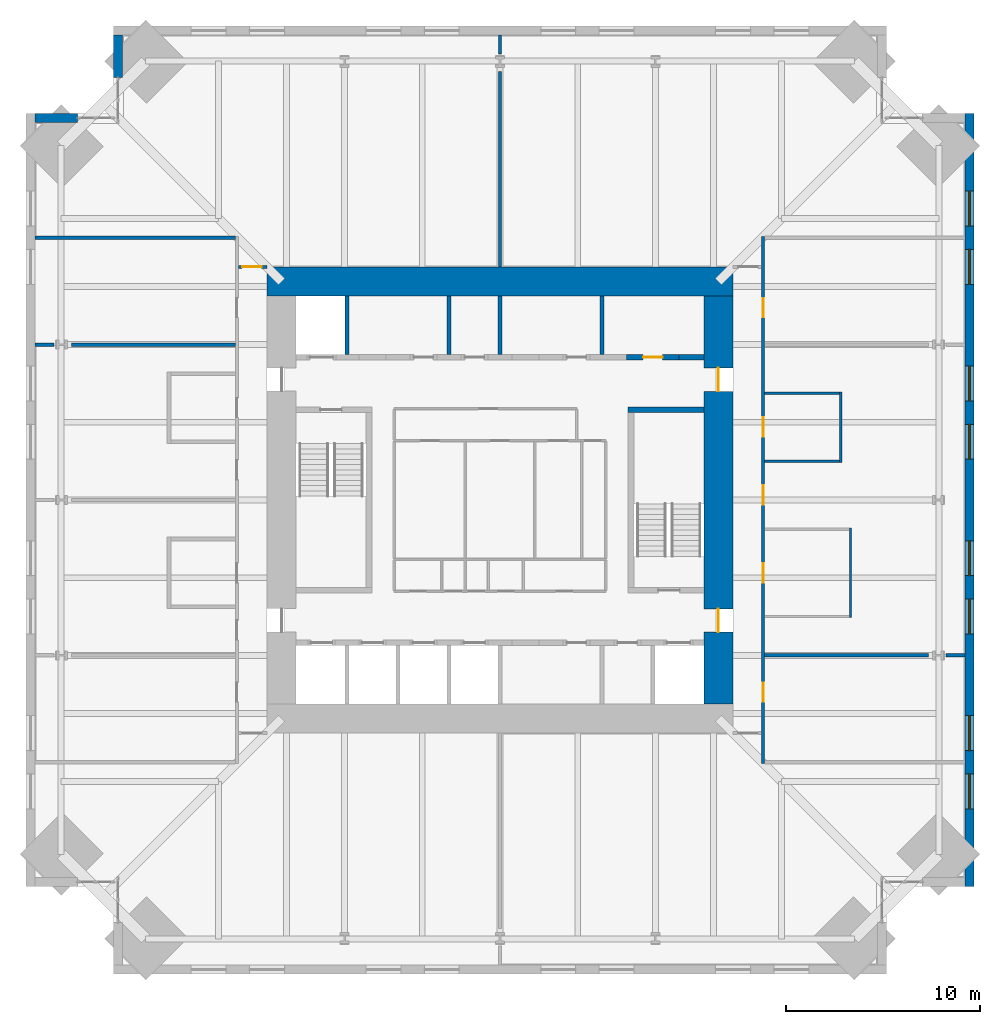
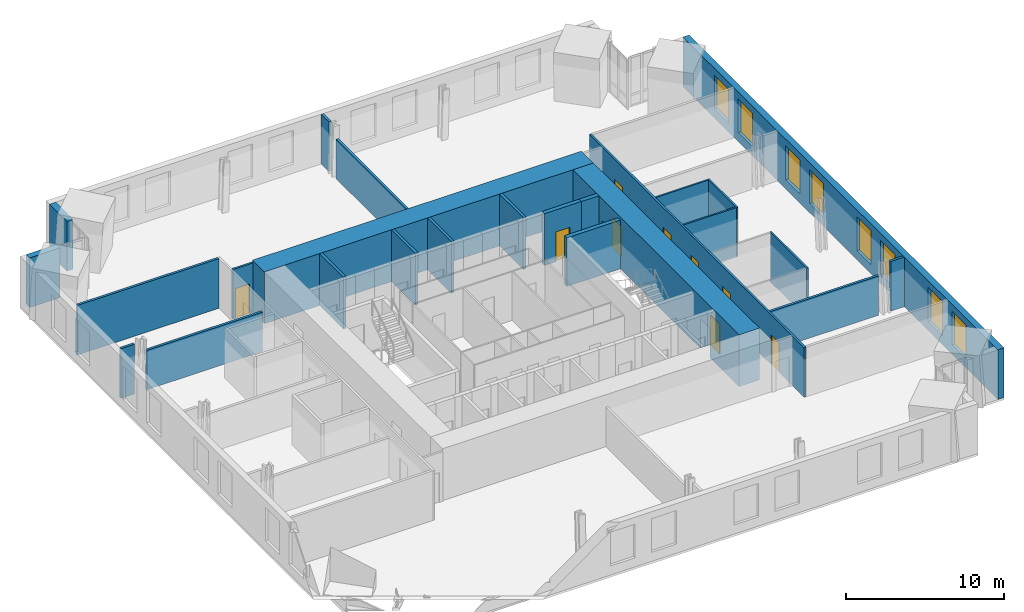
# One storey, part 13 of 15: 25 walls, 9 doors, 8 windows, 17 openings.
"""IFC4 building model written with IfcOpenShell, lengths in metres."""

import ifcopenshell
import ifcopenshell.guid

model = None  # the IFC model being written
_history = None  # IfcOwnerHistory: only IFC2X3 demands one
_inside = {}  # id of a spatial element -> (the spatial element, [elements in it])
_under = {}  # id of a project, library or spatial element -> (it, [spatial elements below it])
_declared = {}  # id of a project -> (the project, [libraries it declares])
_typed = {}  # id of a type object -> (the type object, [elements of that type])
_made_of = {}  # id of a material, layer set ... -> (it, [elements and type objects made of it])


def new_model(schema):
    """Start an empty IFC model of exactly this schema.

    Asked for "IFC4X3", IfcOpenShell would pick the latest addendum, in which some entities
    have other attributes; the version numbers below select the first issue.
    IFC2X3 requires an IfcOwnerHistory on every rooted entity: one is made here for all.
    """
    global model, _history
    if schema == "IFC4X3":
        model = ifcopenshell.file(schema_version=(4, 3, 0, 0))
    else:
        model = ifcopenshell.file(schema=schema)
    _inside.clear()
    _under.clear()
    _declared.clear()
    _typed.clear()
    _made_of.clear()
    _history = None
    if model.schema == "IFC2X3":
        org = make("IfcOrganization", Name="unknown")
        user = make(
            "IfcPersonAndOrganization",
            ThePerson=make("IfcPerson", FamilyName="unknown"),
            TheOrganization=org,
        )
        app = make(
            "IfcApplication",
            ApplicationDeveloper=org,
            Version="unknown",
            ApplicationFullName="unknown",
            ApplicationIdentifier="unknown",
        )
        _history = make(
            "IfcOwnerHistory",
            OwningUser=user,
            OwningApplication=app,
            ChangeAction="ADDED",
            CreationDate=0,
        )
    return model


def make(cls, **values):
    """One entity of the class cls with the attributes given. An attribute that is None is left unset."""
    return model.create_entity(
        cls, **{name: value for name, value in values.items() if value is not None}
    )


def rooted(cls, **values):
    """An entity with a GlobalId (a new one), such as an element, a storey or a relation."""
    return make(cls, GlobalId=ifcopenshell.guid.new(), OwnerHistory=_history, **values)


def si_unit(unit_type, name, prefix=None):
    """IfcSIUnit, for example si_unit("LENGTHUNIT", "METRE", prefix="MILLI")."""
    return make("IfcSIUnit", UnitType=unit_type, Prefix=prefix, Name=name)


def assignment(units):
    """IfcUnitAssignment: the units of a project."""
    return None if units is None else make("IfcUnitAssignment", Units=units)


def point(xyz):
    """IfcCartesianPoint."""
    return None if xyz is None else make("IfcCartesianPoint", Coordinates=xyz)


def direction(xyz):
    """IfcDirection."""
    return None if xyz is None else make("IfcDirection", DirectionRatios=xyz)


def frame(location, z_axis=None, x_axis=None):
    """IfcAxis2Placement3D, a coordinate frame: its origin and axes. An axis left out is left unset."""
    return make(
        "IfcAxis2Placement3D",
        Location=point(location),
        Axis=direction(z_axis),
        RefDirection=direction(x_axis),
    )


def frame_2d(location, x_axis=None):
    """IfcAxis2Placement2D, a coordinate frame in the plane: its origin and x axis."""
    return make(
        "IfcAxis2Placement2D", Location=point(location), RefDirection=direction(x_axis)
    )


def origin():
    """The frame at (0, 0, 0) with its axes left unset."""
    return frame((0.0, 0.0, 0.0))


def place(relative_to, where):
    """IfcLocalPlacement: puts the frame where relative to a parent placement (None: the world)."""
    return make(
        "IfcLocalPlacement", PlacementRelTo=relative_to, RelativePlacement=where
    )


def context(
    kind, dimensions, precision=None, world=None, true_north=None, identifier=None
):
    """IfcGeometricRepresentationContext, for example the 3D "Model" context."""
    return make(
        "IfcGeometricRepresentationContext",
        ContextIdentifier=identifier,
        ContextType=kind,
        CoordinateSpaceDimension=dimensions,
        Precision=precision,
        WorldCoordinateSystem=world,
        TrueNorth=true_north,
    )


def subcontext(parent, identifier, kind, view, scale=None):
    """IfcGeometricRepresentationSubContext, for example "Body" below "Model"."""
    return make(
        "IfcGeometricRepresentationSubContext",
        ContextIdentifier=identifier,
        ContextType=kind,
        ParentContext=parent,
        TargetScale=scale,
        TargetView=view,
    )


def project(units=None, contexts=None):
    """IfcProject with its units and contexts."""
    return rooted(
        "IfcProject",
        Name="project",
        RepresentationContexts=contexts,
        UnitsInContext=assignment(units),
    )


def spatial(cls, under=None, at=None, **own):
    """A site, building, storey or space (cls), placed at a placement, below another one or the project."""
    s = rooted(cls, ObjectPlacement=at, **own)
    if under is not None:
        _under.setdefault(under.id(), (under, []))[1].append(s)
    return s


def profile(cls, at=None, kind="AREA", **sizes):
    """A parametric profile (cls). Its sizes go by their IFC names, for example OverallWidth=200.0."""
    return make(cls, ProfileType=kind, Position=at, **sizes)


def rectangle(**sizes):
    """IfcRectangleProfileDef."""
    return profile("IfcRectangleProfileDef", **sizes)


def extrude(swept, where, along, depth):
    """IfcExtrudedAreaSolid: the profile swept, set in the frame where, extruded along a direction by depth."""
    return make(
        "IfcExtrudedAreaSolid",
        SweptArea=swept,
        Position=where,
        ExtrudedDirection=direction(along),
        Depth=depth,
    )


def shape(context_of_items, identifier, shape_type, items):
    """IfcShapeRepresentation: the items that make up one representation, for example the "Body"."""
    return make(
        "IfcShapeRepresentation",
        ContextOfItems=context_of_items,
        RepresentationIdentifier=identifier,
        RepresentationType=shape_type,
        Items=items,
    )


def material(Name=None, Category=None):
    """IfcMaterial."""
    return make("IfcMaterial", Name=Name, Category=Category)


def layer(
    of_material, thickness, ventilated=None, Name=None, Category=None, Priority=None
):
    """IfcMaterialLayer: one layer of a wall or slab, of a material (None: an air gap)."""
    return make(
        "IfcMaterialLayer",
        Material=of_material,
        LayerThickness=thickness,
        IsVentilated=ventilated,
        Name=Name,
        Category=Category,
        Priority=Priority,
    )


def layer_set(layers, Name=None):
    """IfcMaterialLayerSet."""
    return make("IfcMaterialLayerSet", MaterialLayers=layers, LayerSetName=Name)


def made_of(thing, what):
    """Note that an element or type object is made of a material, layer set ...; save() writes the relation."""
    if what is not None:
        _made_of.setdefault(what.id(), (what, []))[1].append(thing)
    return thing


def type_object(cls, material=None, **own):
    """A type object (cls), such as IfcWallType, which elements share."""
    return made_of(rooted(cls, **own), material)


def element(
    cls,
    number,
    at=None,
    inside=None,
    cuts=None,
    type_object=None,
    material=None,
    context=None,
    identifier="Body",
    shape_type=None,
    held_by="IfcProductDefinitionShape",
    body=None,
    shapes=None,
    **own,
):
    """One element of the class cls, such as IfcWall. Its Tag is "e" and its number.

    at: its placement. inside: the storey or other place that contains it. cuts: it is an
    opening in that element (IfcRelVoidsElement). A single representation is given by context,
    identifier, shape_type and body (its items); several are given by shapes. held_by: the class
    of the entity that holds the representations. save() writes the other relations.
    """
    e = rooted(cls, Tag="e%d" % number, ObjectPlacement=at, **own)
    if body is not None:
        shapes = [shape(context, identifier, shape_type, body)]
    if shapes is not None:
        e.Representation = make(held_by, Representations=shapes)
    if inside is not None:
        _inside.setdefault(inside.id(), (inside, []))[1].append(e)
    if cuts is not None:
        rooted(
            "IfcRelVoidsElement", RelatingBuildingElement=cuts, RelatedOpeningElement=e
        )
    if type_object is not None:
        _typed.setdefault(type_object.id(), (type_object, []))[1].append(e)
    return made_of(e, material)


def fill(opening, filler):
    """IfcRelFillsElement: the door or window that sits in an opening."""
    return rooted(
        "IfcRelFillsElement",
        RelatingOpeningElement=opening,
        RelatedBuildingElement=filler,
    )


def aggregate(whole, parts):
    """IfcRelAggregates: a whole, such as a stair, and the parts it consists of."""
    return rooted("IfcRelAggregates", RelatingObject=whole, RelatedObjects=parts)


def save(model, path):
    """Write the relations noted so far, then the file.

    IfcRelAggregates (storeys below a building ...), IfcRelContainedInSpatialStructure (elements
    in a storey), IfcRelDefinesByType, IfcRelAssociatesMaterial and IfcRelDeclares: one each for
    every whole, place, type object, material and project.
    """
    for whole, parts in _under.values():
        aggregate(whole, parts)
    for where, things in _inside.values():
        rooted(
            "IfcRelContainedInSpatialStructure",
            RelatedElements=things,
            RelatingStructure=where,
        )
    for kind, things in _typed.values():
        rooted("IfcRelDefinesByType", RelatedObjects=things, RelatingType=kind)
    for what, things in _made_of.values():
        rooted("IfcRelAssociatesMaterial", RelatedObjects=things, RelatingMaterial=what)
    for by, libraries in _declared.values():
        rooted("IfcRelDeclares", RelatingContext=by, RelatedDefinitions=libraries)
    model.write(path)


model = new_model("IFC4")

# Units and contexts
model_context = context("Model", 3, precision=1e-05, world=origin(), true_north=direction((0.0, 1.0)))
body_context = subcontext(model_context, "Body", "Model", "MODEL_VIEW")
ifc_project = project(units=[si_unit("LENGTHUNIT", "METRE"), si_unit("AREAUNIT", "SQUARE_METRE"), si_unit("VOLUMEUNIT", "CUBIC_METRE"), si_unit("PLANEANGLEUNIT", "RADIAN"), si_unit("MASSUNIT", "GRAM", prefix="KILO")], contexts=[model_context])

# Site, building, storey
site_placement = place(None, origin())
site = spatial("IfcSite", under=ifc_project, at=site_placement, CompositionType="ELEMENT")
building_placement = place(site_placement, origin())
building = spatial("IfcBuilding", under=site, at=building_placement, Name="Peilmerk Tower", CompositionType="ELEMENT")
storey_placement = place(building_placement, frame((0.0, 0.0, 205.800048828125)))
storey = spatial("IfcBuildingStorey", under=building, at=storey_placement, Name="L44", CompositionType="ELEMENT", Elevation=205.800048828125)

# Wall, openings, windows
ifc_material_1 = material(Name="Precast concrete C45/55, board-marked finish", Category="concrete")
ifc_layer_1 = layer(ifc_material_1, 0.449951171875)
ifc_layer_set_1 = layer_set([ifc_layer_1], Name="Precast concrete C45/55, board-marked finish")
wall_type_1 = type_object("IfcWallType", Name="EW1 450 precast concrete facade wall, board-marked", PredefinedType="SOLIDWALL", material=ifc_layer_set_1)
wall_1_placement = place(storey_placement, frame((24.175048828125, -19.89990234375, 0.0), z_axis=(0.0, 0.0, 1.0), x_axis=(0.0, 1.0, 0.0)))
wall_1 = element("IfcWall", 1, at=wall_1_placement, inside=storey, type_object=wall_type_1, Name="Facade wall E L44", PredefinedType="SOLIDWALL", context=body_context, shape_type="SweptSolid", body=[
    extrude(rectangle(XDim=39.7998046875, YDim=0.449951171875, at=frame_2d((19.89990234375, 0.0))), origin(), (0.0, 0.0, 1.0), 3.829833984375),
])
opening_1_placement = place(wall_1_placement, frame((4.0, 0.0, 0.699951171875)))
opening_1 = element("IfcOpeningElement", 2, at=opening_1_placement, cuts=wall_1, Name="Opening W1", PredefinedType="OPENING", context=body_context, shape_type="SweptSolid", body=[
    extrude(rectangle(XDim=1.800048828125, YDim=2.60009765625, at=frame_2d((0.89990234375, 1.300048828125))), frame((0.0, 0.23486328125, 0.0), z_axis=(0.0, -1.0, 0.0), x_axis=(1.0, 0.0, 0.0)), (0.0, 0.0, 1.0), 0.469970703125),
])
opening_2_placement = place(wall_1_placement, frame((7.0, 0.0, 0.699951171875)))
opening_2 = element("IfcOpeningElement", 3, at=opening_2_placement, cuts=wall_1, Name="Opening W1", PredefinedType="OPENING", context=body_context, shape_type="SweptSolid", body=[
    extrude(rectangle(XDim=1.800048828125, YDim=2.60009765625, at=frame_2d((0.89990234375, 1.300048828125))), frame((0.0, 0.23486328125, 0.0), z_axis=(0.0, -1.0, 0.0), x_axis=(1.0, 0.0, 0.0)), (0.0, 0.0, 1.0), 0.469970703125),
])
opening_3_placement = place(wall_1_placement, frame((13.0, 0.0, 0.699951171875)))
opening_3 = element("IfcOpeningElement", 4, at=opening_3_placement, cuts=wall_1, Name="Opening W1", PredefinedType="OPENING", context=body_context, shape_type="SweptSolid", body=[
    extrude(rectangle(XDim=1.800048828125, YDim=2.60009765625, at=frame_2d((0.89990234375, 1.300048828125))), frame((0.0, 0.23486328125, 0.0), z_axis=(0.0, -1.0, 0.0), x_axis=(1.0, 0.0, 0.0)), (0.0, 0.0, 1.0), 0.469970703125),
])
opening_4_placement = place(wall_1_placement, frame((16.0, 0.0, 0.699951171875)))
opening_4 = element("IfcOpeningElement", 5, at=opening_4_placement, cuts=wall_1, Name="Opening W1", PredefinedType="OPENING", context=body_context, shape_type="SweptSolid", body=[
    extrude(rectangle(XDim=1.800048828125, YDim=2.60009765625, at=frame_2d((0.89990234375, 1.300048828125))), frame((0.0, 0.23486328125, 0.0), z_axis=(0.0, -1.0, 0.0), x_axis=(1.0, 0.0, 0.0)), (0.0, 0.0, 1.0), 0.469970703125),
])
opening_5_placement = place(wall_1_placement, frame((22.0, 0.0, 0.699951171875)))
opening_5 = element("IfcOpeningElement", 6, at=opening_5_placement, cuts=wall_1, Name="Opening W1", PredefinedType="OPENING", context=body_context, shape_type="SweptSolid", body=[
    extrude(rectangle(XDim=1.800048828125, YDim=2.60009765625, at=frame_2d((0.89990234375, 1.300048828125))), frame((0.0, 0.23486328125, 0.0), z_axis=(0.0, -1.0, 0.0), x_axis=(1.0, 0.0, 0.0)), (0.0, 0.0, 1.0), 0.469970703125),
])
opening_6_placement = place(wall_1_placement, frame((25.0, 0.0, 0.699951171875)))
opening_6 = element("IfcOpeningElement", 7, at=opening_6_placement, cuts=wall_1, Name="Opening W1", PredefinedType="OPENING", context=body_context, shape_type="SweptSolid", body=[
    extrude(rectangle(XDim=1.800048828125, YDim=2.60009765625, at=frame_2d((0.89990234375, 1.300048828125))), frame((0.0, 0.23486328125, 0.0), z_axis=(0.0, -1.0, 0.0), x_axis=(1.0, 0.0, 0.0)), (0.0, 0.0, 1.0), 0.469970703125),
])
opening_7_placement = place(wall_1_placement, frame((31.0, 0.0, 0.699951171875)))
opening_7 = element("IfcOpeningElement", 8, at=opening_7_placement, cuts=wall_1, Name="Opening W1", PredefinedType="OPENING", context=body_context, shape_type="SweptSolid", body=[
    extrude(rectangle(XDim=1.800048828125, YDim=2.60009765625, at=frame_2d((0.89990234375, 1.300048828125))), frame((0.0, 0.23486328125, 0.0), z_axis=(0.0, -1.0, 0.0), x_axis=(1.0, 0.0, 0.0)), (0.0, 0.0, 1.0), 0.469970703125),
])
opening_8_placement = place(wall_1_placement, frame((34.0, 0.0, 0.699951171875)))
opening_8 = element("IfcOpeningElement", 9, at=opening_8_placement, cuts=wall_1, Name="Opening W1", PredefinedType="OPENING", context=body_context, shape_type="SweptSolid", body=[
    extrude(rectangle(XDim=1.800048828125, YDim=2.60009765625, at=frame_2d((0.89990234375, 1.300048828125))), frame((0.0, 0.23486328125, 0.0), z_axis=(0.0, -1.0, 0.0), x_axis=(1.0, 0.0, 0.0)), (0.0, 0.0, 1.0), 0.469970703125),
])
ifc_material_2 = material(Name="Aluminium frame, clear double glazing", Category="aluminium")
window_type = type_object("IfcWindowType", Name="W1 1800x2600 office window", PartitioningType="SINGLE_PANEL", PredefinedType="WINDOW", material=ifc_material_2)
window_1_placement = place(opening_1_placement, origin())
window_1 = element("IfcWindow", 10, at=window_1_placement, inside=storey, type_object=window_type, Name="Window W1 L44", OverallHeight=2.60009765625, OverallWidth=1.800048828125, PartitioningType="SINGLE_PANEL", PredefinedType="WINDOW", context=body_context, shape_type="SweptSolid", body=[
    extrude(rectangle(XDim=1.800048828125, YDim=2.60009765625, at=frame_2d((0.89990234375, 1.300048828125))), frame((0.0, 0.030029296875, 0.0), z_axis=(0.0, -1.0, 0.0), x_axis=(1.0, 0.0, 0.0)), (0.0, 0.0, 1.0), 0.06005859375),
])
fill(opening_1, window_1)
window_2_placement = place(opening_2_placement, origin())
window_2 = element("IfcWindow", 11, at=window_2_placement, inside=storey, type_object=window_type, Name="Window W1 L44", OverallHeight=2.60009765625, OverallWidth=1.800048828125, PartitioningType="SINGLE_PANEL", PredefinedType="WINDOW", context=body_context, shape_type="SweptSolid", body=[
    extrude(rectangle(XDim=1.800048828125, YDim=2.60009765625, at=frame_2d((0.89990234375, 1.300048828125))), frame((0.0, 0.030029296875, 0.0), z_axis=(0.0, -1.0, 0.0), x_axis=(1.0, 0.0, 0.0)), (0.0, 0.0, 1.0), 0.06005859375),
])
fill(opening_2, window_2)
window_3_placement = place(opening_3_placement, origin())
window_3 = element("IfcWindow", 12, at=window_3_placement, inside=storey, type_object=window_type, Name="Window W1 L44", OverallHeight=2.60009765625, OverallWidth=1.800048828125, PartitioningType="SINGLE_PANEL", PredefinedType="WINDOW", context=body_context, shape_type="SweptSolid", body=[
    extrude(rectangle(XDim=1.800048828125, YDim=2.60009765625, at=frame_2d((0.89990234375, 1.300048828125))), frame((0.0, 0.030029296875, 0.0), z_axis=(0.0, -1.0, 0.0), x_axis=(1.0, 0.0, 0.0)), (0.0, 0.0, 1.0), 0.06005859375),
])
fill(opening_3, window_3)
window_4_placement = place(opening_4_placement, origin())
window_4 = element("IfcWindow", 13, at=window_4_placement, inside=storey, type_object=window_type, Name="Window W1 L44", OverallHeight=2.60009765625, OverallWidth=1.800048828125, PartitioningType="SINGLE_PANEL", PredefinedType="WINDOW", context=body_context, shape_type="SweptSolid", body=[
    extrude(rectangle(XDim=1.800048828125, YDim=2.60009765625, at=frame_2d((0.89990234375, 1.300048828125))), frame((0.0, 0.030029296875, 0.0), z_axis=(0.0, -1.0, 0.0), x_axis=(1.0, 0.0, 0.0)), (0.0, 0.0, 1.0), 0.06005859375),
])
fill(opening_4, window_4)
window_5_placement = place(opening_5_placement, origin())
window_5 = element("IfcWindow", 14, at=window_5_placement, inside=storey, type_object=window_type, Name="Window W1 L44", OverallHeight=2.60009765625, OverallWidth=1.800048828125, PartitioningType="SINGLE_PANEL", PredefinedType="WINDOW", context=body_context, shape_type="SweptSolid", body=[
    extrude(rectangle(XDim=1.800048828125, YDim=2.60009765625, at=frame_2d((0.89990234375, 1.300048828125))), frame((0.0, 0.030029296875, 0.0), z_axis=(0.0, -1.0, 0.0), x_axis=(1.0, 0.0, 0.0)), (0.0, 0.0, 1.0), 0.06005859375),
])
fill(opening_5, window_5)
window_6_placement = place(opening_6_placement, origin())
window_6 = element("IfcWindow", 15, at=window_6_placement, inside=storey, type_object=window_type, Name="Window W1 L44", OverallHeight=2.60009765625, OverallWidth=1.800048828125, PartitioningType="SINGLE_PANEL", PredefinedType="WINDOW", context=body_context, shape_type="SweptSolid", body=[
    extrude(rectangle(XDim=1.800048828125, YDim=2.60009765625, at=frame_2d((0.89990234375, 1.300048828125))), frame((0.0, 0.030029296875, 0.0), z_axis=(0.0, -1.0, 0.0), x_axis=(1.0, 0.0, 0.0)), (0.0, 0.0, 1.0), 0.06005859375),
])
fill(opening_6, window_6)
window_7_placement = place(opening_7_placement, origin())
window_7 = element("IfcWindow", 16, at=window_7_placement, inside=storey, type_object=window_type, Name="Window W1 L44", OverallHeight=2.60009765625, OverallWidth=1.800048828125, PartitioningType="SINGLE_PANEL", PredefinedType="WINDOW", context=body_context, shape_type="SweptSolid", body=[
    extrude(rectangle(XDim=1.800048828125, YDim=2.60009765625, at=frame_2d((0.89990234375, 1.300048828125))), frame((0.0, 0.030029296875, 0.0), z_axis=(0.0, -1.0, 0.0), x_axis=(1.0, 0.0, 0.0)), (0.0, 0.0, 1.0), 0.06005859375),
])
fill(opening_7, window_7)
window_8_placement = place(opening_8_placement, origin())
window_8 = element("IfcWindow", 17, at=window_8_placement, inside=storey, type_object=window_type, Name="Window W1 L44", OverallHeight=2.60009765625, OverallWidth=1.800048828125, PartitioningType="SINGLE_PANEL", PredefinedType="WINDOW", context=body_context, shape_type="SweptSolid", body=[
    extrude(rectangle(XDim=1.800048828125, YDim=2.60009765625, at=frame_2d((0.89990234375, 1.300048828125))), frame((0.0, 0.030029296875, 0.0), z_axis=(0.0, -1.0, 0.0), x_axis=(1.0, 0.0, 0.0)), (0.0, 0.0, 1.0), 0.06005859375),
])
fill(opening_8, window_8)

# Walls
for number, where, z_axis, x_axis, name in (
    (18, (-19.675048828125, 21.753662109375, 0.0), (0.0, 0.0, 1.0), (0.0, 1.0, 0.0), "Facade wall NWA L44"),
    (19, (-21.753662109375, 19.675048828125, 0.0), (0.0, 0.0, 1.0), (-1.0, 0.0, 0.0), "Facade wall NWB L44"),
):
    element("IfcWall", number, at=place(storey_placement, frame(where, z_axis=z_axis, x_axis=x_axis)), inside=storey, type_object=wall_type_1, Name=name, PredefinedType="SOLIDWALL", context=body_context, shape_type="SweptSolid", body=[
        extrude(rectangle(XDim=2.1962890625, YDim=0.449951171875, at=frame_2d((1.09814453125, 0.0))), origin(), (0.0, 0.0, 1.0), 3.829833984375),
    ])

# Wall, openings, doors
ifc_material_3 = material(Name="Calcium silicate block", Category="masonry")
ifc_layer_2 = layer(ifc_material_3, 0.14990234375)
ifc_layer_set_2 = layer_set([ifc_layer_2], Name="Calcium silicate block")
wall_type_2 = type_object("IfcWallType", Name="IW1 150 corridor partition, EI 60", PredefinedType="PARTITIONING", material=ifc_layer_set_2)
wall_2_placement = place(storey_placement, frame((13.550048828125, -13.574951171875, 0.0), z_axis=(0.0, 0.0, 1.0), x_axis=(0.0, 1.0, 0.0)))
wall_2 = element("IfcWall", 20, at=wall_2_placement, inside=storey, type_object=wall_type_2, Name="Corridor wall E L44", PredefinedType="PARTITIONING", context=body_context, shape_type="SweptSolid", body=[
    extrude(rectangle(XDim=27.14990234375, YDim=0.14990234375, at=frame_2d((13.574951171875, 0.0))), origin(), (0.0, 0.0, 1.0), 3.829833984375),
])
opening_9_placement = place(wall_2_placement, frame((3.175048828125, 0.0, 0.0)))
opening_9 = element("IfcOpeningElement", 21, at=opening_9_placement, cuts=wall_2, Name="Opening D1", PredefinedType="OPENING", context=body_context, shape_type="SweptSolid", body=[
    extrude(rectangle(XDim=1.0, YDim=2.300048828125, at=frame_2d((0.5, 1.14990234375))), frame((0.0, 0.0849609375, 0.0), z_axis=(0.0, -1.0, 0.0), x_axis=(1.0, 0.0, 0.0)), (0.0, 0.0, 1.0), 0.169921875),
])
opening_10_placement = place(wall_2_placement, frame((13.324951171875, 0.0, 0.0)))
opening_10 = element("IfcOpeningElement", 22, at=opening_10_placement, cuts=wall_2, Name="Opening D1", PredefinedType="OPENING", context=body_context, shape_type="SweptSolid", body=[
    extrude(rectangle(XDim=1.0, YDim=2.300048828125, at=frame_2d((0.5, 1.14990234375))), frame((0.0, 0.0849609375, 0.0), z_axis=(0.0, -1.0, 0.0), x_axis=(1.0, 0.0, 0.0)), (0.0, 0.0, 1.0), 0.169921875),
])
opening_11_placement = place(wall_2_placement, frame((22.97509765625, 0.0, 0.0)))
opening_11 = element("IfcOpeningElement", 23, at=opening_11_placement, cuts=wall_2, Name="Opening D1", PredefinedType="OPENING", context=body_context, shape_type="SweptSolid", body=[
    extrude(rectangle(XDim=1.0, YDim=2.300048828125, at=frame_2d((0.5, 1.14990234375))), frame((0.0, 0.0849609375, 0.0), z_axis=(0.0, -1.0, 0.0), x_axis=(1.0, 0.0, 0.0)), (0.0, 0.0, 1.0), 0.169921875),
])
opening_12_placement = place(wall_2_placement, frame((9.324951171875, 0.0, 0.0)))
opening_12 = element("IfcOpeningElement", 24, at=opening_12_placement, cuts=wall_2, Name="Opening D1", PredefinedType="OPENING", context=body_context, shape_type="SweptSolid", body=[
    extrude(rectangle(XDim=1.0, YDim=2.300048828125, at=frame_2d((0.5, 1.14990234375))), frame((0.0, 0.0849609375, 0.0), z_axis=(0.0, -1.0, 0.0), x_axis=(1.0, 0.0, 0.0)), (0.0, 0.0, 1.0), 0.169921875),
])
opening_13_placement = place(wall_2_placement, frame((16.824951171875, 0.0, 0.0)))
opening_13 = element("IfcOpeningElement", 25, at=opening_13_placement, cuts=wall_2, Name="Opening D1", PredefinedType="OPENING", context=body_context, shape_type="SweptSolid", body=[
    extrude(rectangle(XDim=1.0, YDim=2.300048828125, at=frame_2d((0.5, 1.14990234375))), frame((0.0, 0.0849609375, 0.0), z_axis=(0.0, -1.0, 0.0), x_axis=(1.0, 0.0, 0.0)), (0.0, 0.0, 1.0), 0.169921875),
])
ifc_material_4 = material(Name="Timber door in steel frame", Category="steel")
door_type_1 = type_object("IfcDoorType", Name="D1 1000x2300 room door, EI2 30", OperationType="SINGLE_SWING_LEFT", PredefinedType="DOOR", material=ifc_material_4)
door_1_placement = place(opening_9_placement, frame((1.0, 0.0, 0.0), z_axis=(0.0, 0.0, 1.0), x_axis=(-1.0, 0.0, 0.0)))
door_1 = element("IfcDoor", 26, at=door_1_placement, inside=storey, type_object=door_type_1, Name="Door Engineering office L44", OperationType="SINGLE_SWING_LEFT", OverallHeight=2.300048828125, OverallWidth=1.0, PredefinedType="DOOR", context=body_context, shape_type="SweptSolid", body=[
    extrude(rectangle(XDim=1.0, YDim=2.300048828125, at=frame_2d((0.5, 1.14990234375))), frame((0.0, 0.02490234375, 0.0), z_axis=(0.0, -1.0, 0.0), x_axis=(1.0, 0.0, 0.0)), (0.0, 0.0, 1.0), 0.050048828125),
])
fill(opening_9, door_1)
door_2_placement = place(opening_10_placement, frame((1.0, 0.0, 0.0), z_axis=(0.0, 0.0, 1.0), x_axis=(-1.0, 0.0, 0.0)))
door_2 = element("IfcDoor", 27, at=door_2_placement, inside=storey, type_object=door_type_1, Name="Door Network monitoring room L44", OperationType="SINGLE_SWING_LEFT", OverallHeight=2.300048828125, OverallWidth=1.0, PredefinedType="DOOR", context=body_context, shape_type="SweptSolid", body=[
    extrude(rectangle(XDim=1.0, YDim=2.300048828125, at=frame_2d((0.5, 1.14990234375))), frame((0.0, 0.02490234375, 0.0), z_axis=(0.0, -1.0, 0.0), x_axis=(1.0, 0.0, 0.0)), (0.0, 0.0, 1.0), 0.050048828125),
])
fill(opening_10, door_2)
door_3_placement = place(opening_11_placement, frame((1.0, 0.0, 0.0), z_axis=(0.0, 0.0, 1.0), x_axis=(-1.0, 0.0, 0.0)))
door_3 = element("IfcDoor", 28, at=door_3_placement, inside=storey, type_object=door_type_1, Name="Door Engineering office L44", OperationType="SINGLE_SWING_LEFT", OverallHeight=2.300048828125, OverallWidth=1.0, PredefinedType="DOOR", context=body_context, shape_type="SweptSolid", body=[
    extrude(rectangle(XDim=1.0, YDim=2.300048828125, at=frame_2d((0.5, 1.14990234375))), frame((0.0, 0.02490234375, 0.0), z_axis=(0.0, -1.0, 0.0), x_axis=(1.0, 0.0, 0.0)), (0.0, 0.0, 1.0), 0.050048828125),
])
fill(opening_11, door_3)
door_4_placement = place(opening_12_placement, frame((1.0, 0.0, 0.0), z_axis=(0.0, 0.0, 1.0), x_axis=(-1.0, 0.0, 0.0)))
door_4 = element("IfcDoor", 29, at=door_4_placement, inside=storey, type_object=door_type_1, Name="Door Meeting room L44", OperationType="SINGLE_SWING_LEFT", OverallHeight=2.300048828125, OverallWidth=1.0, PredefinedType="DOOR", context=body_context, shape_type="SweptSolid", body=[
    extrude(rectangle(XDim=1.0, YDim=2.300048828125, at=frame_2d((0.5, 1.14990234375))), frame((0.0, 0.02490234375, 0.0), z_axis=(0.0, -1.0, 0.0), x_axis=(1.0, 0.0, 0.0)), (0.0, 0.0, 1.0), 0.050048828125),
])
fill(opening_12, door_4)
door_5_placement = place(opening_13_placement, frame((1.0, 0.0, 0.0), z_axis=(0.0, 0.0, 1.0), x_axis=(-1.0, 0.0, 0.0)))
door_5 = element("IfcDoor", 30, at=door_5_placement, inside=storey, type_object=door_type_1, Name="Door Pantry L44", OperationType="SINGLE_SWING_LEFT", OverallHeight=2.300048828125, OverallWidth=1.0, PredefinedType="DOOR", context=body_context, shape_type="SweptSolid", body=[
    extrude(rectangle(XDim=1.0, YDim=2.300048828125, at=frame_2d((0.5, 1.14990234375))), frame((0.0, 0.02490234375, 0.0), z_axis=(0.0, -1.0, 0.0), x_axis=(1.0, 0.0, 0.0)), (0.0, 0.0, 1.0), 0.050048828125),
])
fill(opening_13, door_5)

# Wall, opening, door
wall_3_placement = place(storey_placement, frame((-13.47509765625, 12.0, 0.0), z_axis=(0.0, 0.0, 1.0), x_axis=(1.0, 0.0, 0.0)))
wall_3 = element("IfcWall", 31, at=wall_3_placement, inside=storey, type_object=wall_type_2, Name="Corridor wall NW L44", PredefinedType="PARTITIONING", context=body_context, shape_type="SweptSolid", body=[
    extrude(rectangle(XDim=1.47509765625, YDim=0.14990234375, at=frame_2d((0.737548828125, 0.0))), origin(), (0.0, 0.0, 1.0), 3.829833984375),
])
opening_14_placement = place(wall_3_placement, frame((0.199951171875, 0.0, 0.0)))
opening_14 = element("IfcOpeningElement", 32, at=opening_14_placement, cuts=wall_3, Name="Opening D1", PredefinedType="OPENING", context=body_context, shape_type="SweptSolid", body=[
    extrude(rectangle(XDim=1.0, YDim=2.300048828125, at=frame_2d((0.5, 1.14990234375))), frame((0.0, 0.0849609375, 0.0), z_axis=(0.0, -1.0, 0.0), x_axis=(1.0, 0.0, 0.0)), (0.0, 0.0, 1.0), 0.169921875),
])
door_6_placement = place(opening_14_placement, origin())
door_6 = element("IfcDoor", 33, at=door_6_placement, inside=storey, type_object=door_type_1, Name="Door Engineering office L44", OperationType="SINGLE_SWING_LEFT", OverallHeight=2.300048828125, OverallWidth=1.0, PredefinedType="DOOR", context=body_context, shape_type="SweptSolid", body=[
    extrude(rectangle(XDim=1.0, YDim=2.300048828125, at=frame_2d((0.5, 1.14990234375))), frame((0.0, 0.02490234375, 0.0), z_axis=(0.0, -1.0, 0.0), x_axis=(1.0, 0.0, 0.0)), (0.0, 0.0, 1.0), 0.050048828125),
])
fill(opening_14, door_6)

# Walls
ifc_material_5 = material(Name="Concrete C35/45", Category="concrete")
ifc_layer_3 = layer(ifc_material_5, 0.300048828125)
ifc_layer_set_3 = layer_set([ifc_layer_3], Name="Concrete C35/45")
wall_type_3 = type_object("IfcWallType", Name="IW3 300 concrete stair enclosure wall, EI 120", PredefinedType="SOLIDWALL", material=ifc_layer_set_3)
wall_4_placement = place(storey_placement, frame((6.60009765625, 4.64990234375, 0.0), z_axis=(0.0, 0.0, 1.0), x_axis=(1.0, 0.0, 0.0)))
element("IfcWall", 34, at=wall_4_placement, inside=storey, type_object=wall_type_3, Name="Stair 2 enclosure L44", PredefinedType="SOLIDWALL", context=body_context, shape_type="SweptSolid", body=[
    extrude(rectangle(XDim=3.89990234375, YDim=0.300048828125, at=frame_2d((1.949951171875, 0.0))), origin(), (0.0, 0.0, 1.0), 3.75),
])
ifc_material_6 = material(Name="Plasterboard on steel studs, double boarded with mineral wool", Category="steel")
ifc_layer_4 = layer(ifc_material_6, 0.125)
ifc_layer_set_4 = layer_set([ifc_layer_4], Name="Plasterboard on steel studs, double boarded with mineral wool")
wall_type_4 = type_object("IfcWallType", Name="IW7 125 acoustic partition, EI 30", PredefinedType="PARTITIONING", material=ifc_layer_set_4)
wall_5_placement = place(storey_placement, frame((18.050048828125, -6.0625, 0.0), z_axis=(0.0, 0.0, 1.0), x_axis=(0.0, 1.0, 0.0)))
element("IfcWall", 35, at=wall_5_placement, inside=storey, type_object=wall_type_4, Name="Acoustic partition Meeting room L44", PredefinedType="PARTITIONING", context=body_context, shape_type="SweptSolid", body=[
    extrude(rectangle(XDim=4.625, YDim=0.125, at=frame_2d((2.3125, 0.0))), origin(), (0.0, 0.0, 1.0), 3.829833984375),
])
wall_6_placement = place(storey_placement, frame((17.550048828125, 1.9375, 0.0), z_axis=(0.0, 0.0, 1.0), x_axis=(0.0, 1.0, 0.0)))
element("IfcWall", 36, at=wall_6_placement, inside=storey, type_object=wall_type_4, Name="Acoustic partition Pantry L44", PredefinedType="PARTITIONING", context=body_context, shape_type="SweptSolid", body=[
    extrude(rectangle(XDim=3.625, YDim=0.125, at=frame_2d((1.8125, 0.0))), origin(), (0.0, 0.0, 1.0), 3.829833984375),
])
for number, where, z_axis, x_axis, name in (
    (37, (13.625, 2.0, 0.0), (0.0, 0.0, 1.0), (1.0, 0.0, 0.0), "Acoustic partition Pantry L44"),
    (38, (13.625, 5.5, 0.0), (0.0, 0.0, 1.0), (1.0, 0.0, 0.0), "Acoustic partition Pantry L44"),
):
    element("IfcWall", number, at=place(storey_placement, frame(where, z_axis=z_axis, x_axis=x_axis)), inside=storey, type_object=wall_type_4, Name=name, PredefinedType="PARTITIONING", context=body_context, shape_type="SweptSolid", body=[
        extrude(rectangle(XDim=3.862548828125, YDim=0.125, at=frame_2d((1.93115234375, 0.0))), origin(), (0.0, 0.0, 1.0), 3.829833984375),
    ])
ifc_layer_5 = layer(ifc_material_3, 0.175048828125)
ifc_layer_set_5 = layer_set([ifc_layer_5], Name="Calcium silicate block")
wall_type_5 = type_object("IfcWallType", Name="IW8 175 tenant separating wall, EI 60", PredefinedType="PARTITIONING", material=ifc_layer_set_5)
wall_7_placement = place(storey_placement, frame((-23.949951171875, 13.5, 0.0), z_axis=(0.0, 0.0, 1.0), x_axis=(1.0, 0.0, 0.0)))
element("IfcWall", 39, at=wall_7_placement, inside=storey, type_object=wall_type_5, Name="Tenant separating wall NW L44", PredefinedType="PARTITIONING", context=body_context, shape_type="SweptSolid", body=[
    extrude(rectangle(XDim=10.324951171875, YDim=0.175048828125, at=frame_2d((5.16259765625, 0.0))), origin(), (0.0, 0.0, 1.0), 3.829833984375),
])
wall_8_placement = place(storey_placement, frame((0.0, 12.0, 0.0), z_axis=(0.0, 0.0, 1.0), x_axis=(0.0, 1.0, 0.0)))
element("IfcWall", 40, at=wall_8_placement, inside=storey, type_object=wall_type_5, Name="Tenant separating wall N1 L44", PredefinedType="PARTITIONING", context=body_context, shape_type="SweptSolid", body=[
    extrude(rectangle(XDim=10.0732421875, YDim=0.175048828125, at=frame_2d((5.03662109375, 0.0))), origin(), (0.0, 0.0, 1.0), 3.0400390625),
])
wall_9_placement = place(storey_placement, frame((0.0, 22.96240234375, 0.0), z_axis=(0.0, 0.0, 1.0), x_axis=(0.0, 1.0, 0.0)))
element("IfcWall", 41, at=wall_9_placement, inside=storey, type_object=wall_type_5, Name="Tenant separating wall N1b L44", PredefinedType="PARTITIONING", context=body_context, shape_type="SweptSolid", body=[
    extrude(rectangle(XDim=0.987548828125, YDim=0.175048828125, at=frame_2d((0.49365234375, 0.0))), origin(), (0.0, 0.0, 1.0), 3.829833984375),
])
wall_10_placement = place(storey_placement, frame((13.625, -8.0, 0.0), z_axis=(0.0, 0.0, 1.0), x_axis=(1.0, 0.0, 0.0)))
element("IfcWall", 42, at=wall_10_placement, inside=storey, type_object=wall_type_5, Name="Tenant separating wall E1 L44", PredefinedType="PARTITIONING", context=body_context, shape_type="SweptSolid", body=[
    extrude(rectangle(XDim=8.4482421875, YDim=0.175048828125, at=frame_2d((4.22412109375, 0.0))), origin(), (0.0, 0.0, 1.0), 3.0400390625),
])
wall_11_placement = place(storey_placement, frame((22.96240234375, -8.0, 0.0), z_axis=(0.0, 0.0, 1.0), x_axis=(1.0, 0.0, 0.0)))
element("IfcWall", 43, at=wall_11_placement, inside=storey, type_object=wall_type_5, Name="Tenant separating wall E1b L44", PredefinedType="PARTITIONING", context=body_context, shape_type="SweptSolid", body=[
    extrude(rectangle(XDim=0.987548828125, YDim=0.175048828125, at=frame_2d((0.49365234375, 0.0))), origin(), (0.0, 0.0, 1.0), 3.829833984375),
])
wall_12_placement = place(storey_placement, frame((-13.625, 8.0, 0.0), z_axis=(0.0, 0.0, 1.0), x_axis=(-1.0, 0.0, 0.0)))
element("IfcWall", 44, at=wall_12_placement, inside=storey, type_object=wall_type_5, Name="Tenant separating wall W3 L44", PredefinedType="PARTITIONING", context=body_context, shape_type="SweptSolid", body=[
    extrude(rectangle(XDim=8.4482421875, YDim=0.175048828125, at=frame_2d((4.22412109375, 0.0))), origin(), (0.0, 0.0, 1.0), 3.0400390625),
])
wall_13_placement = place(storey_placement, frame((-22.96240234375, 8.0, 0.0), z_axis=(0.0, 0.0, 1.0), x_axis=(-1.0, 0.0, 0.0)))
element("IfcWall", 45, at=wall_13_placement, inside=storey, type_object=wall_type_5, Name="Tenant separating wall W3b L44", PredefinedType="PARTITIONING", context=body_context, shape_type="SweptSolid", body=[
    extrude(rectangle(XDim=0.987548828125, YDim=0.175048828125, at=frame_2d((0.49365234375, 0.0))), origin(), (0.0, 0.0, 1.0), 3.829833984375),
])
ifc_layer_6 = layer(ifc_material_3, 0.199951171875)
ifc_layer_set_6 = layer_set([ifc_layer_6], Name="Calcium silicate block")
wall_type_6 = type_object("IfcWallType", Name="SH1 200 shaft dividing wall, EI 120", PredefinedType="PARTITIONING", material=ifc_layer_set_6)
for number, where, z_axis, x_axis, name in (
    (46, (-7.875, 7.5, 0.0), (0.0, 0.0, 1.0), (0.0, 1.0, 0.0), "Shaft wall N FL1 L44"),
    (47, (-2.625, 7.5, 0.0), (0.0, 0.0, 1.0), (0.0, 1.0, 0.0), "Shaft wall N A2 L44"),
    (48, (0.0, 7.5, 0.0), (0.0, 0.0, 1.0), (0.0, 1.0, 0.0), "Shaft wall N A3 L44"),
    (49, (5.25, 7.5, 0.0), (0.0, 0.0, 1.0), (0.0, 1.0, 0.0), "Shaft wall N S2 L44"),
):
    element("IfcWall", number, at=place(storey_placement, frame(where, z_axis=z_axis, x_axis=x_axis)), inside=storey, type_object=wall_type_6, Name=name, PredefinedType="PARTITIONING", context=body_context, shape_type="SweptSolid", body=[
        extrude(rectangle(XDim=3.0, YDim=0.199951171875, at=frame_2d((1.5, 0.0))), origin(), (0.0, 0.0, 1.0), 4.0),
    ])

# Wall, opening, door
ifc_layer_7 = layer(ifc_material_3, 0.300048828125)
ifc_layer_set_7 = layer_set([ifc_layer_7], Name="Calcium silicate block")
wall_type_7 = type_object("IfcWallType", Name="SH2 300 lift landing door panel, EI 120", PredefinedType="PARTITIONING", material=ifc_layer_set_7)
wall_14_placement = place(storey_placement, frame((6.52490234375, 7.35009765625, 0.0), z_axis=(0.0, 0.0, 1.0), x_axis=(1.0, 0.0, 0.0)))
wall_14 = element("IfcWall", 50, at=wall_14_placement, inside=storey, type_object=wall_type_7, Name="Lift door panel N GL1 L44", PredefinedType="PARTITIONING", context=body_context, shape_type="SweptSolid", body=[
    extrude(rectangle(XDim=2.7001953125, YDim=0.300048828125, at=frame_2d((1.35009765625, 0.0))), origin(), (0.0, 0.0, 1.0), 4.0),
])
opening_15_placement = place(wall_14_placement, frame((0.85009765625, 0.0, 0.0)))
opening_15 = element("IfcOpeningElement", 51, at=opening_15_placement, cuts=wall_14, Name="Opening D10", PredefinedType="OPENING", context=body_context, shape_type="SweptSolid", body=[
    extrude(rectangle(XDim=1.0, YDim=2.300048828125, at=frame_2d((0.5, 1.14990234375))), frame((0.0, 0.159912109375, 0.0), z_axis=(0.0, -1.0, 0.0), x_axis=(1.0, 0.0, 0.0)), (0.0, 0.0, 1.0), 0.320068359375),
])
ifc_material_7 = material(Name="Steel door in steel frame", Category="steel")
door_type_2 = type_object("IfcDoorType", Name="D10 1000x2300 core room door, EI2 60", OperationType="SINGLE_SWING_RIGHT", PredefinedType="DOOR", material=ifc_material_7)
door_7_placement = place(opening_15_placement, origin())
door_7 = element("IfcDoor", 52, at=door_7_placement, inside=storey, type_object=door_type_2, Name="Door Staff WC L44", OperationType="SINGLE_SWING_RIGHT", OverallHeight=2.300048828125, OverallWidth=1.0, PredefinedType="DOOR", context=body_context, shape_type="SweptSolid", body=[
    extrude(rectangle(XDim=1.0, YDim=2.300048828125, at=frame_2d((0.5, 1.14990234375))), frame((0.0, 0.02490234375, 0.0), z_axis=(0.0, -1.0, 0.0), x_axis=(1.0, 0.0, 0.0)), (0.0, 0.0, 1.0), 0.050048828125),
])
fill(opening_15, door_7)

# Wall
ifc_material_8 = material(Name="Concrete C55/67", Category="concrete")
ifc_layer_8 = layer(ifc_material_8, 1.5)
ifc_layer_set_8 = layer_set([ifc_layer_8], Name="Concrete C55/67")
wall_type_8 = type_object("IfcWallType", Name="SW1 1500 core wall", PredefinedType="SHEAR", material=ifc_layer_set_8)
wall_15_placement = place(storey_placement, frame((-12.0, 11.25, 0.0), z_axis=(0.0, 0.0, 1.0), x_axis=(1.0, 0.0, 0.0)))
element("IfcWall", 53, at=wall_15_placement, inside=storey, type_object=wall_type_8, Name="Core wall N L44", PredefinedType="SHEAR", context=body_context, shape_type="SweptSolid", body=[
    extrude(rectangle(XDim=24.0, YDim=1.5, at=frame_2d((12.0, 0.0))), origin(), (0.0, 0.0, 1.0), 4.0),
])

# Wall, openings, doors
wall_16_placement = place(storey_placement, frame((11.25, 10.5, 0.0), z_axis=(0.0, 0.0, 1.0), x_axis=(0.0, -1.0, 0.0)))
wall_16 = element("IfcWall", 54, at=wall_16_placement, inside=storey, type_object=wall_type_8, Name="Core wall E L44", PredefinedType="SHEAR", context=body_context, shape_type="SweptSolid", body=[
    extrude(rectangle(XDim=21.0, YDim=1.5, at=frame_2d((10.5, 0.0))), origin(), (0.0, 0.0, 1.0), 4.0),
])
opening_16_placement = place(wall_16_placement, frame((3.699951171875, 0.0, 0.0)))
opening_16 = element("IfcOpeningElement", 55, at=opening_16_placement, cuts=wall_16, Name="Opening D3", PredefinedType="OPENING", context=body_context, shape_type="SweptSolid", body=[
    extrude(rectangle(XDim=1.199951171875, YDim=2.300048828125, at=frame_2d((0.60009765625, 1.14990234375))), frame((0.0, 0.760009765625, 0.0), z_axis=(0.0, -1.0, 0.0), x_axis=(1.0, 0.0, 0.0)), (0.0, 0.0, 1.0), 1.52001953125),
])
opening_17_placement = place(wall_16_placement, frame((16.10009765625, 0.0, 0.0)))
opening_17 = element("IfcOpeningElement", 56, at=opening_17_placement, cuts=wall_16, Name="Opening D3", PredefinedType="OPENING", context=body_context, shape_type="SweptSolid", body=[
    extrude(rectangle(XDim=1.199951171875, YDim=2.300048828125, at=frame_2d((0.60009765625, 1.14990234375))), frame((0.0, 0.760009765625, 0.0), z_axis=(0.0, -1.0, 0.0), x_axis=(1.0, 0.0, 0.0)), (0.0, 0.0, 1.0), 1.52001953125),
])
door_type_3 = type_object("IfcDoorType", Name="D3 1200x2300 core door, EI2 60", OperationType="SINGLE_SWING_LEFT", PredefinedType="DOOR", material=ifc_material_7)
door_8_placement = place(opening_16_placement, frame((1.199951171875, 0.0, 0.0), z_axis=(0.0, 0.0, 1.0), x_axis=(-1.0, 0.0, 0.0)))
door_8 = element("IfcDoor", 57, at=door_8_placement, inside=storey, type_object=door_type_3, Name="Core door L44", OperationType="SINGLE_SWING_LEFT", OverallHeight=2.300048828125, OverallWidth=1.199951171875, PredefinedType="DOOR", context=body_context, shape_type="SweptSolid", body=[
    extrude(rectangle(XDim=1.199951171875, YDim=2.300048828125, at=frame_2d((0.60009765625, 1.14990234375))), frame((0.0, 0.02490234375, 0.0), z_axis=(0.0, -1.0, 0.0), x_axis=(1.0, 0.0, 0.0)), (0.0, 0.0, 1.0), 0.050048828125),
])
fill(opening_16, door_8)
door_9_placement = place(opening_17_placement, frame((1.199951171875, 0.0, 0.0), z_axis=(0.0, 0.0, 1.0), x_axis=(-1.0, 0.0, 0.0)))
door_9 = element("IfcDoor", 58, at=door_9_placement, inside=storey, type_object=door_type_3, Name="Core door L44", OperationType="SINGLE_SWING_LEFT", OverallHeight=2.300048828125, OverallWidth=1.199951171875, PredefinedType="DOOR", context=body_context, shape_type="SweptSolid", body=[
    extrude(rectangle(XDim=1.199951171875, YDim=2.300048828125, at=frame_2d((0.60009765625, 1.14990234375))), frame((0.0, 0.02490234375, 0.0), z_axis=(0.0, -1.0, 0.0), x_axis=(1.0, 0.0, 0.0)), (0.0, 0.0, 1.0), 0.050048828125),
])
fill(opening_17, door_9)

# Wall
ifc_layer_9 = layer(ifc_material_8, 0.300048828125)
ifc_layer_set_9 = layer_set([ifc_layer_9], Name="Concrete C55/67")
wall_type_9 = type_object("IfcWallType", Name="SW2 300 lift bank pier", PredefinedType="SHEAR", material=ifc_layer_set_9)
wall_17_placement = place(storey_placement, frame((9.22509765625, 7.35009765625, 0.0), z_axis=(0.0, 0.0, 1.0), x_axis=(1.0, 0.0, 0.0)))
element("IfcWall", 59, at=wall_17_placement, inside=storey, type_object=wall_type_9, Name="Lift bank pier N L44", PredefinedType="SHEAR", context=body_context, shape_type="SweptSolid", body=[
    extrude(rectangle(XDim=1.27490234375, YDim=0.300048828125, at=frame_2d((0.637451171875, 0.0))), origin(), (0.0, 0.0, 1.0), 4.0),
])

save(model, "model.ifc")
